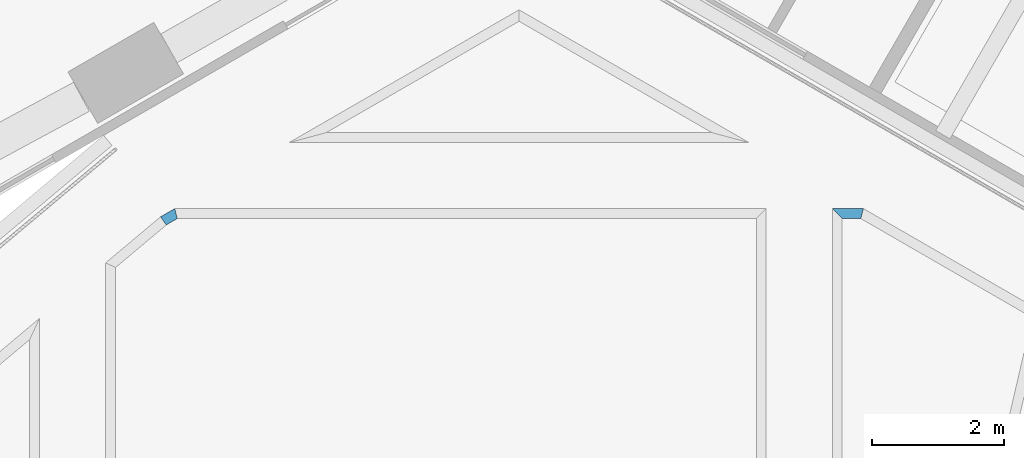
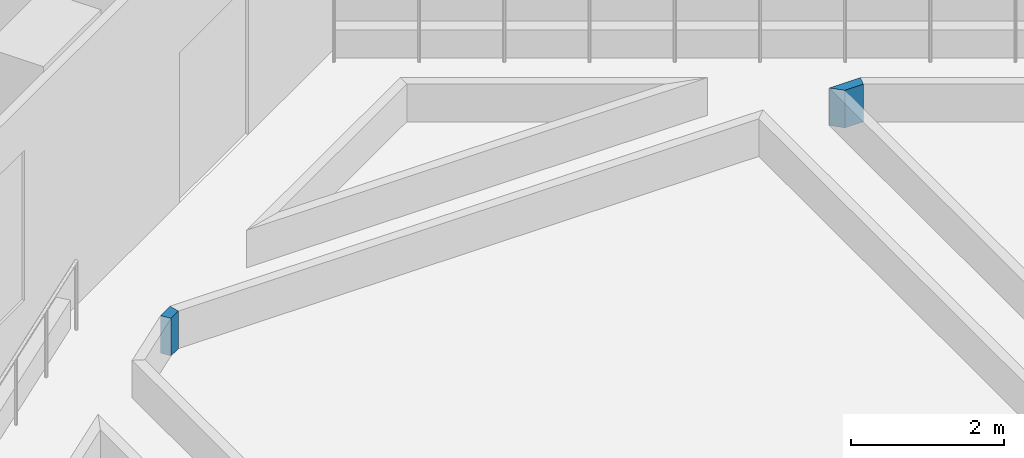
# One storey, part 8 of 21: 2 walls.
"""IFC4 building model written with IfcOpenShell, lengths in metres."""

import ifcopenshell
import ifcopenshell.guid

model = None  # the IFC model being written
_history = None  # IfcOwnerHistory: only IFC2X3 demands one
_inside = {}  # id of a spatial element -> (the spatial element, [elements in it])
_under = {}  # id of a project, library or spatial element -> (it, [spatial elements below it])
_declared = {}  # id of a project -> (the project, [libraries it declares])
_typed = {}  # id of a type object -> (the type object, [elements of that type])
_made_of = {}  # id of a material, layer set ... -> (it, [elements and type objects made of it])


def new_model(schema):
    """Start an empty IFC model of exactly this schema.

    Asked for "IFC4X3", IfcOpenShell would pick the latest addendum, in which some entities
    have other attributes; the version numbers below select the first issue.
    IFC2X3 requires an IfcOwnerHistory on every rooted entity: one is made here for all.
    """
    global model, _history
    if schema == "IFC4X3":
        model = ifcopenshell.file(schema_version=(4, 3, 0, 0))
    else:
        model = ifcopenshell.file(schema=schema)
    _inside.clear()
    _under.clear()
    _declared.clear()
    _typed.clear()
    _made_of.clear()
    _history = None
    if model.schema == "IFC2X3":
        org = make("IfcOrganization", Name="unknown")
        user = make(
            "IfcPersonAndOrganization",
            ThePerson=make("IfcPerson", FamilyName="unknown"),
            TheOrganization=org,
        )
        app = make(
            "IfcApplication",
            ApplicationDeveloper=org,
            Version="unknown",
            ApplicationFullName="unknown",
            ApplicationIdentifier="unknown",
        )
        _history = make(
            "IfcOwnerHistory",
            OwningUser=user,
            OwningApplication=app,
            ChangeAction="ADDED",
            CreationDate=0,
        )
    return model


def make(cls, **values):
    """One entity of the class cls with the attributes given. An attribute that is None is left unset."""
    return model.create_entity(
        cls, **{name: value for name, value in values.items() if value is not None}
    )


def rooted(cls, **values):
    """An entity with a GlobalId (a new one), such as an element, a storey or a relation."""
    return make(cls, GlobalId=ifcopenshell.guid.new(), OwnerHistory=_history, **values)


def si_unit(unit_type, name, prefix=None):
    """IfcSIUnit, for example si_unit("LENGTHUNIT", "METRE", prefix="MILLI")."""
    return make("IfcSIUnit", UnitType=unit_type, Prefix=prefix, Name=name)


def assignment(units):
    """IfcUnitAssignment: the units of a project."""
    return None if units is None else make("IfcUnitAssignment", Units=units)


def point(xyz):
    """IfcCartesianPoint."""
    return None if xyz is None else make("IfcCartesianPoint", Coordinates=xyz)


def direction(xyz):
    """IfcDirection."""
    return None if xyz is None else make("IfcDirection", DirectionRatios=xyz)


def frame(location, z_axis=None, x_axis=None):
    """IfcAxis2Placement3D, a coordinate frame: its origin and axes. An axis left out is left unset."""
    return make(
        "IfcAxis2Placement3D",
        Location=point(location),
        Axis=direction(z_axis),
        RefDirection=direction(x_axis),
    )


def origin():
    """The frame at (0, 0, 0) with its axes left unset."""
    return frame((0.0, 0.0, 0.0))


def place(relative_to, where):
    """IfcLocalPlacement: puts the frame where relative to a parent placement (None: the world)."""
    return make(
        "IfcLocalPlacement", PlacementRelTo=relative_to, RelativePlacement=where
    )


def context(
    kind, dimensions, precision=None, world=None, true_north=None, identifier=None
):
    """IfcGeometricRepresentationContext, for example the 3D "Model" context."""
    return make(
        "IfcGeometricRepresentationContext",
        ContextIdentifier=identifier,
        ContextType=kind,
        CoordinateSpaceDimension=dimensions,
        Precision=precision,
        WorldCoordinateSystem=world,
        TrueNorth=true_north,
    )


def subcontext(parent, identifier, kind, view, scale=None):
    """IfcGeometricRepresentationSubContext, for example "Body" below "Model"."""
    return make(
        "IfcGeometricRepresentationSubContext",
        ContextIdentifier=identifier,
        ContextType=kind,
        ParentContext=parent,
        TargetScale=scale,
        TargetView=view,
    )


def project(units=None, contexts=None):
    """IfcProject with its units and contexts."""
    return rooted(
        "IfcProject",
        Name="project",
        RepresentationContexts=contexts,
        UnitsInContext=assignment(units),
    )


def spatial(cls, under=None, at=None, **own):
    """A site, building, storey or space (cls), placed at a placement, below another one or the project."""
    s = rooted(cls, ObjectPlacement=at, **own)
    if under is not None:
        _under.setdefault(under.id(), (under, []))[1].append(s)
    return s


def polyline(points):
    """IfcPolyline through the points."""
    return make("IfcPolyline", Points=[point(p) for p in points])


def outline(outer, holes=None, kind="AREA"):
    """IfcArbitraryClosedProfileDef: a profile drawn as a closed curve; with holes, ...WithVoids."""
    if holes is None:
        return make("IfcArbitraryClosedProfileDef", ProfileType=kind, OuterCurve=outer)
    return make(
        "IfcArbitraryProfileDefWithVoids",
        ProfileType=kind,
        OuterCurve=outer,
        InnerCurves=holes,
    )


def extrude(swept, where, along, depth):
    """IfcExtrudedAreaSolid: the profile swept, set in the frame where, extruded along a direction by depth."""
    return make(
        "IfcExtrudedAreaSolid",
        SweptArea=swept,
        Position=where,
        ExtrudedDirection=direction(along),
        Depth=depth,
    )


def shape(context_of_items, identifier, shape_type, items):
    """IfcShapeRepresentation: the items that make up one representation, for example the "Body"."""
    return make(
        "IfcShapeRepresentation",
        ContextOfItems=context_of_items,
        RepresentationIdentifier=identifier,
        RepresentationType=shape_type,
        Items=items,
    )


def material(Name=None, Category=None):
    """IfcMaterial."""
    return make("IfcMaterial", Name=Name, Category=Category)


def layer(
    of_material, thickness, ventilated=None, Name=None, Category=None, Priority=None
):
    """IfcMaterialLayer: one layer of a wall or slab, of a material (None: an air gap)."""
    return make(
        "IfcMaterialLayer",
        Material=of_material,
        LayerThickness=thickness,
        IsVentilated=ventilated,
        Name=Name,
        Category=Category,
        Priority=Priority,
    )


def layer_set(layers, Name=None):
    """IfcMaterialLayerSet."""
    return make("IfcMaterialLayerSet", MaterialLayers=layers, LayerSetName=Name)


def made_of(thing, what):
    """Note that an element or type object is made of a material, layer set ...; save() writes the relation."""
    if what is not None:
        _made_of.setdefault(what.id(), (what, []))[1].append(thing)
    return thing


def type_object(cls, material=None, **own):
    """A type object (cls), such as IfcWallType, which elements share."""
    return made_of(rooted(cls, **own), material)


def element(
    cls,
    number,
    at=None,
    inside=None,
    cuts=None,
    type_object=None,
    material=None,
    context=None,
    identifier="Body",
    shape_type=None,
    held_by="IfcProductDefinitionShape",
    body=None,
    shapes=None,
    **own,
):
    """One element of the class cls, such as IfcWall. Its Tag is "e" and its number.

    at: its placement. inside: the storey or other place that contains it. cuts: it is an
    opening in that element (IfcRelVoidsElement). A single representation is given by context,
    identifier, shape_type and body (its items); several are given by shapes. held_by: the class
    of the entity that holds the representations. save() writes the other relations.
    """
    e = rooted(cls, Tag="e%d" % number, ObjectPlacement=at, **own)
    if body is not None:
        shapes = [shape(context, identifier, shape_type, body)]
    if shapes is not None:
        e.Representation = make(held_by, Representations=shapes)
    if inside is not None:
        _inside.setdefault(inside.id(), (inside, []))[1].append(e)
    if cuts is not None:
        rooted(
            "IfcRelVoidsElement", RelatingBuildingElement=cuts, RelatedOpeningElement=e
        )
    if type_object is not None:
        _typed.setdefault(type_object.id(), (type_object, []))[1].append(e)
    return made_of(e, material)


def aggregate(whole, parts):
    """IfcRelAggregates: a whole, such as a stair, and the parts it consists of."""
    return rooted("IfcRelAggregates", RelatingObject=whole, RelatedObjects=parts)


def save(model, path):
    """Write the relations noted so far, then the file.

    IfcRelAggregates (storeys below a building ...), IfcRelContainedInSpatialStructure (elements
    in a storey), IfcRelDefinesByType, IfcRelAssociatesMaterial and IfcRelDeclares: one each for
    every whole, place, type object, material and project.
    """
    for whole, parts in _under.values():
        aggregate(whole, parts)
    for where, things in _inside.values():
        rooted(
            "IfcRelContainedInSpatialStructure",
            RelatedElements=things,
            RelatingStructure=where,
        )
    for kind, things in _typed.values():
        rooted("IfcRelDefinesByType", RelatedObjects=things, RelatingType=kind)
    for what, things in _made_of.values():
        rooted("IfcRelAssociatesMaterial", RelatedObjects=things, RelatingMaterial=what)
    for by, libraries in _declared.values():
        rooted("IfcRelDeclares", RelatingContext=by, RelatedDefinitions=libraries)
    model.write(path)


model = new_model("IFC4")

# Units and contexts
model_context = context("Model", 3, precision=1e-05, world=origin(), true_north=direction((0.0, 1.0)))
body_context = subcontext(model_context, "Body", "Model", "MODEL_VIEW")
ifc_project = project(units=[si_unit("LENGTHUNIT", "METRE"), si_unit("AREAUNIT", "SQUARE_METRE"), si_unit("VOLUMEUNIT", "CUBIC_METRE"), si_unit("PLANEANGLEUNIT", "RADIAN"), si_unit("MASSUNIT", "GRAM", prefix="KILO")], contexts=[model_context])

# Site, building, storey
site_placement = place(None, origin())
site = spatial("IfcSite", under=ifc_project, at=site_placement, CompositionType="ELEMENT")
building_placement = place(site_placement, origin())
building = spatial("IfcBuilding", under=site, at=building_placement, Name="Verdalira Terraces Hotel", CompositionType="ELEMENT")
storey_placement = place(building_placement, frame((0.0, 0.0, 19.0)))
storey = spatial("IfcBuildingStorey", under=building, at=storey_placement, Name="L03", CompositionType="ELEMENT", Elevation=19.0)

# Walls
ifc_material = material(Name="Concrete C40", Category="concrete")
ifc_layer = layer(ifc_material, 0.14990234375)
ifc_layer_set = layer_set([ifc_layer], Name="Terrace planter trough 150 x 600")
wall_type = type_object("IfcWallType", Name="Terrace planter trough 150 x 600", PredefinedType="SOLIDWALL", material=ifc_layer_set)
wall_1_placement = place(storey_placement, origin())
element("IfcWall", 1, at=wall_1_placement, inside=storey, type_object=wall_type, Name="Terrace planting bed trough", PredefinedType="SOLIDWALL", context=body_context, shape_type="SweptSolid", body=[
    extrude(outline(polyline([(12.54541, -22.5), (12.331543, -22.623535), (12.417725, -22.746826), (12.585693, -22.649902), (12.54541, -22.5)])), origin(), (0.0, 0.0, 1.0), 0.600098),
])
wall_2_placement = place(storey_placement, origin())
element("IfcWall", 2, at=wall_2_placement, inside=storey, type_object=wall_type, Name="Terrace planting bed trough", PredefinedType="SOLIDWALL", context=body_context, shape_type="SweptSolid", body=[
    extrude(outline(polyline([(22.971191, -22.5), (22.5, -22.5), (22.649902, -22.649902), (22.930908, -22.649902), (22.971191, -22.5)])), origin(), (0.0, 0.0, 1.0), 0.600098),
])

save(model, "model.ifc")
